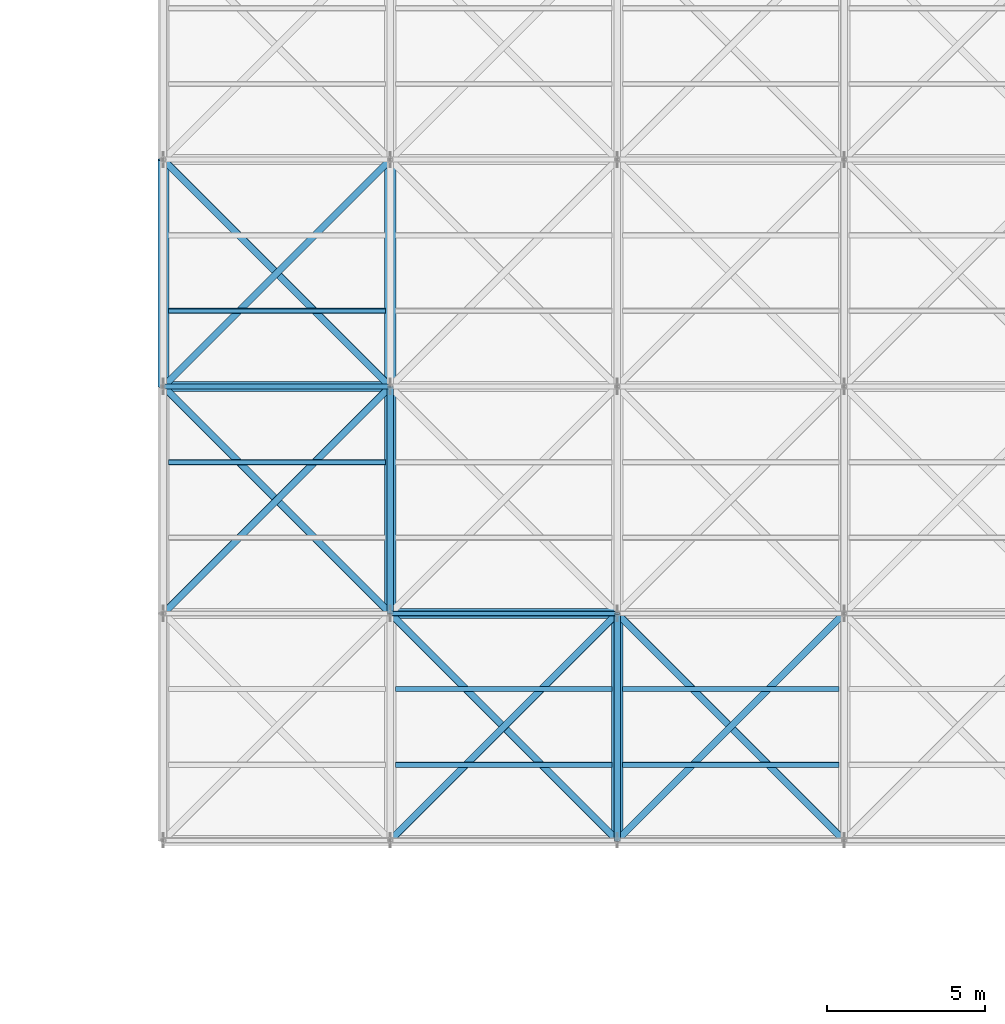
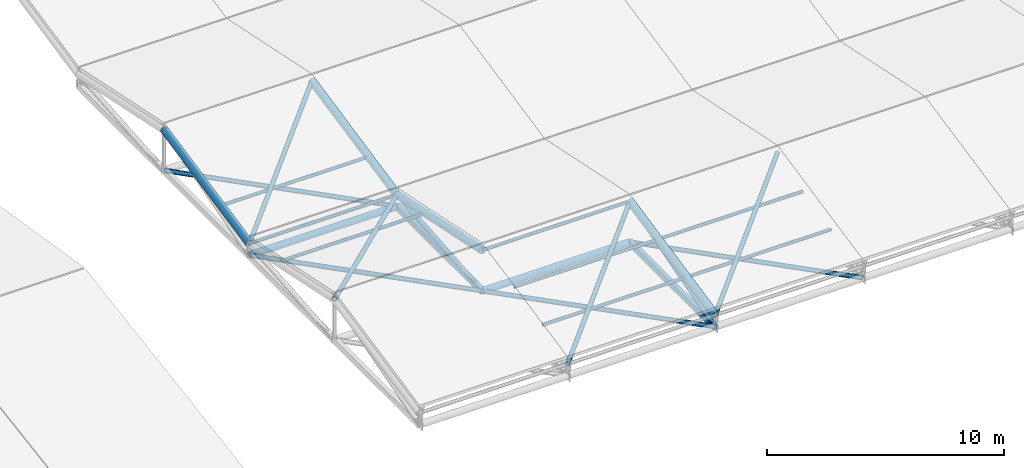
# One storey, part 18 of 72: 20 members, 6 beams.
"""IFC4 building model written with IfcOpenShell, lengths in metres."""

from ifc_helpers import new_model, si_unit, direction, frame, origin, origin_2d, place, context, subcontext, project, spatial, hollow_rectangle, hollow_circle, extrude, material, material_profile, profile_set, type_object, element, save


model = new_model("IFC4")

# Units and contexts
model_context = context("Model", 3, precision=1e-05, world=origin(), true_north=direction((0.0, 1.0)))
body_context = subcontext(model_context, "Body", "Model", "MODEL_VIEW")
ifc_project = project(units=[si_unit("LENGTHUNIT", "METRE"), si_unit("AREAUNIT", "SQUARE_METRE"), si_unit("VOLUMEUNIT", "CUBIC_METRE"), si_unit("PLANEANGLEUNIT", "RADIAN"), si_unit("MASSUNIT", "GRAM", prefix="KILO")], contexts=[model_context])

# Site, building, storey
site_placement = place(None, origin())
site = spatial("IfcSite", under=ifc_project, at=site_placement, CompositionType="ELEMENT")
building_placement = place(site_placement, origin())
building = spatial("IfcBuilding", under=site, at=building_placement, Name="Vaelcorin Mobility Hub", CompositionType="ELEMENT")
storey_placement = place(building_placement, frame((0.0, 0.0, 25.800048828125)))
storey = spatial("IfcBuildingStorey", under=building, at=storey_placement, Name="RF", CompositionType="ELEMENT", Elevation=25.800048828125)

# Members
ifc_material = material(Name="Steel ASTM A500 Grade C", Category="steel")
ifc_material_profile_1 = material_profile(ifc_material, hollow_circle(Radius=0.161865234375, WallThickness=0.0126953125, at=origin_2d()), Name="HSS12.750X0.500")
ifc_profile_set_1 = profile_set([ifc_material_profile_1], Name="Steel ASTM A500 Grade C")
member_type_1 = type_object("IfcMemberType", Name="SF-CHORD-12", PredefinedType="CHORD", material=ifc_profile_set_1)
member_1_placement = place(storey_placement, frame((43.199951171875, 98.39990234375, -2.10009765625), z_axis=(1.0, 0.0, 0.0), x_axis=(0.0, 1.0, 0.0)))
element("IfcMember", 1, at=member_1_placement, inside=storey, type_object=member_type_1, Name="Sports Truss Lower Tie Strut 2-2", PredefinedType="CHORD", context=body_context, shape_type="SweptSolid", body=[
    extrude(hollow_circle(Radius=0.161865234375, WallThickness=0.0126953125, at=origin_2d()), origin(), (0.0, 0.0, 1.0), 7.199951171875),
])
member_2_placement = place(storey_placement, frame((50.39990234375, 91.199951171875, -2.10009765625), z_axis=(1.0, 0.0, 0.0), x_axis=(0.0, 1.0, 0.0)))
element("IfcMember", 2, at=member_2_placement, inside=storey, type_object=member_type_1, Name="Sports Truss Lower Tie Strut 3-1", PredefinedType="CHORD", context=body_context, shape_type="SweptSolid", body=[
    extrude(hollow_circle(Radius=0.161865234375, WallThickness=0.0126953125, at=origin_2d()), origin(), (0.0, 0.0, 1.0), 7.2001953125),
])
ifc_material_profile_2 = material_profile(ifc_material, hollow_circle(Radius=0.109619140625, WallThickness=0.009521484375, at=origin_2d()), Name="HSS8.625X0.375")
ifc_profile_set_2 = profile_set([ifc_material_profile_2], Name="Steel ASTM A500 Grade C")
member_type_2 = type_object("IfcMemberType", Name="SF-DIAG-8", PredefinedType="BRACE", material=ifc_profile_set_2)
member_3_placement = place(storey_placement, frame((43.199951171875, 91.199951171875, 0.0), z_axis=(0.699556744026, 0.699556744026, -0.145741976715), x_axis=(-0.707106781187, 0.707106781187, 0.0)))
element("IfcMember", 3, at=member_3_placement, inside=storey, type_object=member_type_2, Name="Sports Roof Space-Truss Plan Brace 2-2", PredefinedType="BRACE", context=body_context, shape_type="SweptSolid", body=[
    extrude(hollow_circle(Radius=0.109619140625, WallThickness=0.009521484375, at=origin_2d()), origin(), (0.0, 0.0, 1.0), 10.292236328125),
])
member_4_placement = place(storey_placement, frame((50.39990234375, 91.199951171875, -2.10009765625), z_axis=(-0.707106781187, 0.707106781187, 0.0), x_axis=(-0.707106781187, -0.707106781187, 0.0)))
element("IfcMember", 4, at=member_4_placement, inside=storey, type_object=member_type_2, Name="Sports Truss Lower Plan Brace 2-2", PredefinedType="BRACE", context=body_context, shape_type="SweptSolid", body=[
    extrude(hollow_circle(Radius=0.109619140625, WallThickness=0.009521484375, at=origin_2d()), origin(), (0.0, 0.0, 1.0), 10.182373046875),
])
member_5_placement = place(storey_placement, frame((43.199951171875, 98.39990234375, -1.5), z_axis=(0.699545135531, 0.699568856162, 0.145739558262), x_axis=(-0.7071187694, 0.70709479277, 0.0)))
element("IfcMember", 5, at=member_5_placement, inside=storey, type_object=member_type_2, Name="Sports Roof Space-Truss Plan Brace 2-3", PredefinedType="BRACE", context=body_context, shape_type="SweptSolid", body=[
    extrude(hollow_circle(Radius=0.109619140625, WallThickness=0.009521484375, at=origin_2d()), origin(), (0.0, 0.0, 1.0), 10.292236328125),
])
member_6_placement = place(storey_placement, frame((50.39990234375, 98.39990234375, -2.10009765625), z_axis=(-0.70709479277, 0.7071187694, 0.0), x_axis=(-0.7071187694, -0.70709479277, 0.0)))
element("IfcMember", 6, at=member_6_placement, inside=storey, type_object=member_type_2, Name="Sports Truss Lower Plan Brace 2-3", PredefinedType="BRACE", context=body_context, shape_type="SweptSolid", body=[
    extrude(hollow_circle(Radius=0.109619140625, WallThickness=0.009521484375, at=origin_2d()), origin(), (0.0, 0.0, 1.0), 10.182373046875),
])
member_7_placement = place(storey_placement, frame((50.39990234375, 84.0, -1.5), z_axis=(0.699568856162, 0.699545135531, 0.145739558262), x_axis=(-0.70709479277, 0.7071187694, 0.0)))
element("IfcMember", 7, at=member_7_placement, inside=storey, type_object=member_type_2, Name="Sports Roof Space-Truss Plan Brace 3-1", PredefinedType="BRACE", context=body_context, shape_type="SweptSolid", body=[
    extrude(hollow_circle(Radius=0.109619140625, WallThickness=0.009521484375, at=origin_2d()), origin(), (0.0, 0.0, 1.0), 10.292236328125),
])
member_8_placement = place(storey_placement, frame((57.60009765625, 84.0, -2.10009765625), z_axis=(-0.7071187694, 0.70709479277, 0.0), x_axis=(-0.70709479277, -0.7071187694, 0.0)))
element("IfcMember", 8, at=member_8_placement, inside=storey, type_object=member_type_2, Name="Sports Truss Lower Plan Brace 3-1", PredefinedType="BRACE", context=body_context, shape_type="SweptSolid", body=[
    extrude(hollow_circle(Radius=0.109619140625, WallThickness=0.009521484375, at=origin_2d()), origin(), (0.0, 0.0, 1.0), 10.182373046875),
])
member_9_placement = place(storey_placement, frame((57.60009765625, 84.0, -1.5), z_axis=(0.699556744026, 0.699556744026, 0.145741976715), x_axis=(-0.707106781187, 0.707106781187, 0.0)))
element("IfcMember", 9, at=member_9_placement, inside=storey, type_object=member_type_2, Name="Sports Roof Space-Truss Plan Brace 4-1", PredefinedType="BRACE", context=body_context, shape_type="SweptSolid", body=[
    extrude(hollow_circle(Radius=0.109619140625, WallThickness=0.009521484375, at=origin_2d()), origin(), (0.0, 0.0, 1.0), 10.292236328125),
])
member_10_placement = place(storey_placement, frame((64.800048828125, 84.0, -2.10009765625), z_axis=(-0.707106781187, 0.707106781187, 0.0), x_axis=(-0.707106781187, -0.707106781187, 0.0)))
element("IfcMember", 10, at=member_10_placement, inside=storey, type_object=member_type_2, Name="Sports Truss Lower Plan Brace 4-1", PredefinedType="BRACE", context=body_context, shape_type="SweptSolid", body=[
    extrude(hollow_circle(Radius=0.109619140625, WallThickness=0.009521484375, at=origin_2d()), origin(), (0.0, 0.0, 1.0), 10.182373046875),
])
ifc_material_profile_3 = material_profile(ifc_material, hollow_circle(Radius=0.084228515625, WallThickness=0.0078125, at=origin_2d()), Name="HSS6.625X0.312")
ifc_profile_set_3 = profile_set([ifc_material_profile_3], Name="Steel ASTM A500 Grade C")
member_type_3 = type_object("IfcMemberType", Name="SF-PURL-6", PredefinedType="PURLIN", material=ifc_profile_set_3)
member_11_placement = place(storey_placement, frame((43.199951171875, 98.39990234375, -1.5), z_axis=(1.0, 0.0, 0.0), x_axis=(0.0, 1.0, 0.0)))
element("IfcMember", 11, at=member_11_placement, inside=storey, type_object=member_type_3, Name="Sports Pavilion Roof Purlin 2-2", PredefinedType="PURLIN", context=body_context, shape_type="SweptSolid", body=[
    extrude(hollow_circle(Radius=0.084228515625, WallThickness=0.0078125, at=origin_2d()), origin(), (0.0, 0.0, 1.0), 7.199951171875),
])
for number, where, z_axis, x_axis, name in (
    (12, (43.360107421875, 96.0, -1.0), (1.0, 0.0, 0.0), (0.0, 1.0, 0.0), "Sports Roof Secondary Purlin 2-2-2"),
    (13, (43.360107421875, 100.800048828125, -1.0), (1.0, 0.0, 0.0), (0.0, 1.0, 0.0), "Sports Roof Secondary Purlin 2-3-1"),
):
    element("IfcMember", number, at=place(storey_placement, frame(where, z_axis=z_axis, x_axis=x_axis)), inside=storey, type_object=member_type_3, Name=name, PredefinedType="PURLIN", context=body_context, shape_type="SweptSolid", body=[
        extrude(hollow_circle(Radius=0.084228515625, WallThickness=0.0078125, at=origin_2d()), origin(), (0.0, 0.0, 1.0), 6.8798828125),
    ])
member_12_placement = place(storey_placement, frame((50.39990234375, 91.199951171875, 0.0), z_axis=(1.0, 0.0, 0.0), x_axis=(0.0, 1.0, 0.0)))
element("IfcMember", 14, at=member_12_placement, inside=storey, type_object=member_type_3, Name="Sports Pavilion Roof Purlin 3-1", PredefinedType="PURLIN", context=body_context, shape_type="SweptSolid", body=[
    extrude(hollow_circle(Radius=0.084228515625, WallThickness=0.0078125, at=origin_2d()), origin(), (0.0, 0.0, 1.0), 7.2001953125),
])
for number, where, z_axis, x_axis, name in (
    (15, (50.56005859375, 86.39990234375, -1.0), (1.0, 0.0, 0.0), (0.0, 1.0, 0.0), "Sports Roof Secondary Purlin 3-1-1"),
    (16, (50.56005859375, 88.800048828125, -0.5), (1.0, 0.0, 0.0), (0.0, 1.0, 0.0), "Sports Roof Secondary Purlin 3-1-2"),
    (17, (57.760009765625, 86.39990234375, -1.0), (1.0, 0.0, 0.0), (0.0, 1.0, 0.0), "Sports Roof Secondary Purlin 4-1-1"),
    (18, (57.760009765625, 88.800048828125, -0.5), (1.0, 0.0, 0.0), (0.0, 1.0, 0.0), "Sports Roof Secondary Purlin 4-1-2"),
):
    element("IfcMember", number, at=place(storey_placement, frame(where, z_axis=z_axis, x_axis=x_axis)), inside=storey, type_object=member_type_3, Name=name, PredefinedType="PURLIN", context=body_context, shape_type="SweptSolid", body=[
        extrude(hollow_circle(Radius=0.084228515625, WallThickness=0.0078125, at=origin_2d()), origin(), (0.0, 0.0, 1.0), 6.8798828125),
    ])

# Beams
ifc_material_profile_4 = material_profile(ifc_material, hollow_circle(Radius=0.177734375, WallThickness=0.0126953125, at=origin_2d()), Name="HSS14.000X0.500")
ifc_profile_set_4 = profile_set([ifc_material_profile_4], Name="Steel ASTM A500 Grade C")
beam_type_1 = type_object("IfcBeamType", Name="TR-CHORD-14", PredefinedType="BEAM", material=ifc_profile_set_4)
beam_1_placement = place(storey_placement, frame((43.199951171875, 98.39990234375, -1.5), z_axis=(0.0, 0.978981524376, 0.203948951776), x_axis=(-1.0, 0.0, 0.0)))
element("IfcBeam", 19, at=beam_1_placement, inside=storey, type_object=beam_type_1, Name="Sports Pavilion Roof Truss Upper Chord 1-3", PredefinedType="BEAM", context=body_context, shape_type="SweptSolid", body=[
    extrude(hollow_circle(Radius=0.177734375, WallThickness=0.0126953125, at=origin_2d()), origin(), (0.0, 0.0, 1.0), 7.354736328125),
])
beam_2_placement = place(storey_placement, frame((50.39990234375, 91.199951171875, 0.0), z_axis=(0.0, 0.978980143565, -0.203955579738), x_axis=(-1.0, 0.0, 0.0)))
element("IfcBeam", 20, at=beam_2_placement, inside=storey, type_object=beam_type_1, Name="Sports Pavilion Roof Truss Upper Chord 2-2", PredefinedType="BEAM", context=body_context, shape_type="SweptSolid", body=[
    extrude(hollow_circle(Radius=0.177734375, WallThickness=0.0126953125, at=origin_2d()), origin(), (0.0, 0.0, 1.0), 7.3544921875),
])
beam_3_placement = place(storey_placement, frame((50.39990234375, 98.39990234375, -1.5), z_axis=(0.0, 0.978981524376, 0.203948951776), x_axis=(-1.0, 0.0, 0.0)))
element("IfcBeam", 21, at=beam_3_placement, inside=storey, type_object=beam_type_1, Name="Sports Pavilion Roof Truss Upper Chord 2-3", PredefinedType="BEAM", context=body_context, shape_type="SweptSolid", body=[
    extrude(hollow_circle(Radius=0.177734375, WallThickness=0.0126953125, at=origin_2d()), origin(), (0.0, 0.0, 1.0), 7.354736328125),
])
beam_4_placement = place(storey_placement, frame((57.60009765625, 84.0, -1.5), z_axis=(0.0, 0.978980143565, 0.203955579738), x_axis=(-1.0, 0.0, 0.0)))
element("IfcBeam", 22, at=beam_4_placement, inside=storey, type_object=beam_type_1, Name="Sports Pavilion Roof Truss Upper Chord 3-1", PredefinedType="BEAM", context=body_context, shape_type="SweptSolid", body=[
    extrude(hollow_circle(Radius=0.177734375, WallThickness=0.0126953125, at=origin_2d()), origin(), (0.0, 0.0, 1.0), 7.3544921875),
])
ifc_material_profile_5 = material_profile(ifc_material, hollow_rectangle(XDim=0.203125, YDim=0.3046875, WallThickness=0.01171875, at=origin_2d()), Name="HSS12X8X0.500")
ifc_profile_set_5 = profile_set([ifc_material_profile_5], Name="Steel ASTM A500 Grade C")
beam_type_2 = type_object("IfcBeamType", Name="TR-CHORD-RHS12", PredefinedType="BEAM", material=ifc_profile_set_5)
for number, where, z_axis, x_axis, name in (
    (23, (50.39990234375, 91.199951171875, -2.10009765625), (0.0, 1.0, 0.0), (-1.0, 0.0, 0.0), "Sports Pavilion Roof Truss Bottom Chord 2-2"),
    (24, (57.60009765625, 84.0, -2.10009765625), (0.0, 1.0, 0.0), (-1.0, 0.0, 0.0), "Sports Pavilion Roof Truss Bottom Chord 3-1"),
):
    element("IfcBeam", number, at=place(storey_placement, frame(where, z_axis=z_axis, x_axis=x_axis)), inside=storey, type_object=beam_type_2, Name=name, PredefinedType="BEAM", context=body_context, shape_type="SweptSolid", body=[
        extrude(hollow_rectangle(XDim=0.203125, YDim=0.3046875, WallThickness=0.01171875, at=origin_2d()), origin(), (0.0, 0.0, 1.0), 7.199951171875),
    ])

# Members
ifc_material_profile_6 = material_profile(ifc_material, hollow_circle(Radius=0.109619140625, WallThickness=0.009521484375, at=origin_2d()), Name="HSS8.625X0.375")
ifc_profile_set_6 = profile_set([ifc_material_profile_6], Name="Steel ASTM A500 Grade C")
member_type_4 = type_object("IfcMemberType", Name="TR-WEB-8", PredefinedType="BRACE", material=ifc_profile_set_6)
member_13_placement = place(storey_placement, frame((50.39990234375, 91.199951171875, -2.10009765625), z_axis=(0.0, 0.996544592923, 0.083059462528), x_axis=(-1.0, 0.0, 0.0)))
element("IfcMember", 25, at=member_13_placement, inside=storey, type_object=member_type_4, Name="Sports Pavilion Roof Truss Diagonal 2-2", PredefinedType="BRACE", context=body_context, shape_type="SweptSolid", body=[
    extrude(hollow_circle(Radius=0.109619140625, WallThickness=0.009521484375, at=origin_2d()), origin(), (0.0, 0.0, 1.0), 7.224853515625),
])
member_14_placement = place(storey_placement, frame((57.60009765625, 84.0, -2.10009765625), z_axis=(0.0, 0.959995989474, 0.280013750007), x_axis=(-1.0, 0.0, 0.0)))
element("IfcMember", 26, at=member_14_placement, inside=storey, type_object=member_type_4, Name="Sports Pavilion Roof Truss Diagonal 3-1", PredefinedType="BRACE", context=body_context, shape_type="SweptSolid", body=[
    extrude(hollow_circle(Radius=0.109619140625, WallThickness=0.009521484375, at=origin_2d()), origin(), (0.0, 0.0, 1.0), 7.5),
])

save(model, "model.ifc")
